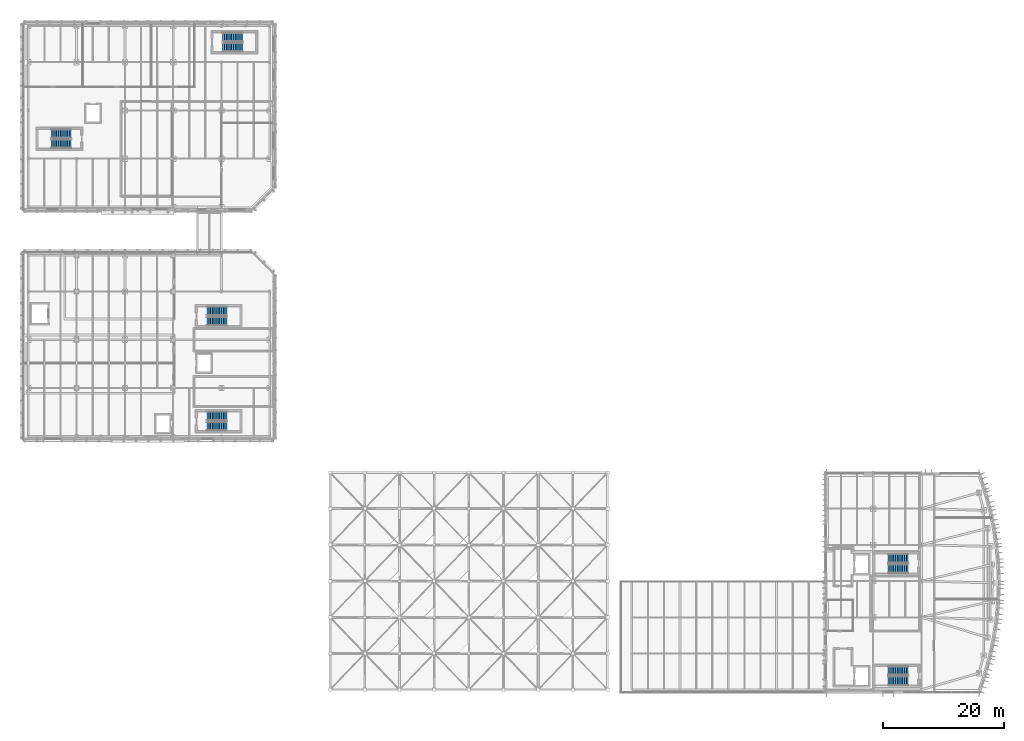
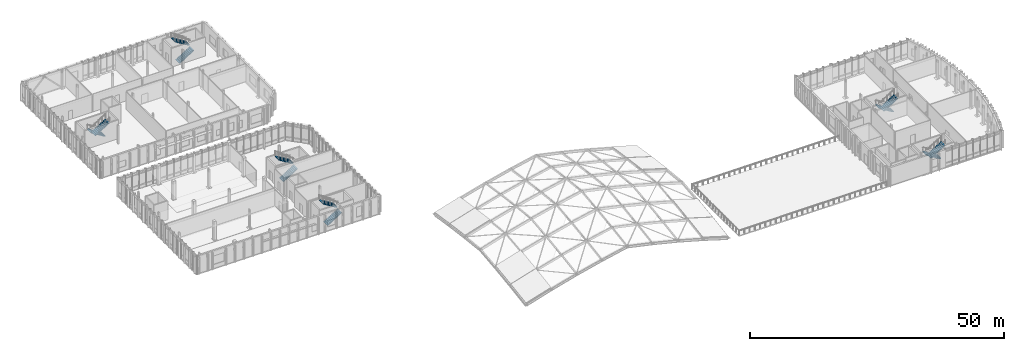
# One storey, part 48 of 62: 12 stair flights, 6 elements without a shape of their own.
"""IFC4 building model written with IfcOpenShell, lengths in metres."""

from ifc_helpers import new_model, si_unit, direction, frame, origin, place, context, subcontext, project, spatial, polyline, outline, extrude, material, type_object, element, aggregate, save


model = new_model("IFC4")

# Units and contexts
model_context = context("Model", 3, precision=1e-05, world=origin(), true_north=direction((0.0, 1.0)))
body_context = subcontext(model_context, "Body", "Model", "MODEL_VIEW")
ifc_project = project(units=[si_unit("LENGTHUNIT", "METRE"), si_unit("AREAUNIT", "SQUARE_METRE"), si_unit("VOLUMEUNIT", "CUBIC_METRE"), si_unit("PLANEANGLEUNIT", "RADIAN"), si_unit("MASSUNIT", "GRAM", prefix="KILO")], contexts=[model_context])

# Site, building, storey
site_placement = place(None, origin())
site = spatial("IfcSite", under=ifc_project, at=site_placement, CompositionType="ELEMENT")
building_placement = place(site_placement, origin())
building = spatial("IfcBuilding", under=site, at=building_placement, Name="Cymarion Research Institute", CompositionType="ELEMENT")
storey_placement = place(building_placement, frame((0.0, 0.0, 18.300048828125)))
storey = spatial("IfcBuildingStorey", under=building, at=storey_placement, Name="L04", CompositionType="ELEMENT", Elevation=18.300048828125)

# Stair, stair flights
ifc_material = material(Name="Concrete C35/45", Category="concrete")
stair_type = type_object("IfcStairType", Name="REINFORCED CONCRETE DOGLEG STAIR STR-4500", PredefinedType="HALF_TURN_STAIR", material=ifc_material)
stair_1_placement = place(storey_placement, origin())
stair_1 = element("IfcStair", 1, at=stair_1_placement, inside=storey, type_object=stair_type, Name="L04 Core C1 Smoke-Proof Exit Stair ST1", PredefinedType="HALF_TURN_STAIR")
stair_flight_type = type_object("IfcStairFlightType", Name="REINFORCED CONCRETE STAIR FLIGHT SFL-4500", PredefinedType="STRAIGHT", material=ifc_material)
stair_flight_1_placement = place(storey_placement, frame((152.39990234375, 8.639892578125, 0.0), z_axis=(0.0, 0.0, 1.0), x_axis=(-1.0, 0.0, 0.0)))
stair_flight_1 = element("IfcStairFlight", 2, at=stair_flight_1_placement, type_object=stair_flight_type, Name="ST1 flight 1", NumberOfRisers=12, NumberOfTreads=11, PredefinedType="STRAIGHT", RiserHeight=0.1875, TreadLength=0.3, context=body_context, shape_type="SweptSolid", body=[
    extrude(outline(polyline([(0.0, 0.0), (0.0, 0.1875), (0.300048828125, 0.1875), (0.300048828125, 0.375), (0.60009765625, 0.375), (0.60009765625, 0.5625), (0.89990234375, 0.5625), (0.89990234375, 0.75), (1.199951171875, 0.75), (1.199951171875, 0.9375), (1.5, 0.9375), (1.5, 1.125), (1.800048828125, 1.125), (1.800048828125, 1.3125), (2.10009765625, 1.3125), (2.10009765625, 1.5), (2.39990234375, 1.5), (2.39990234375, 1.6875), (2.699951171875, 1.6875), (2.699951171875, 1.875), (3.0, 1.875), (3.0, 2.0625), (3.300048828125, 2.0625), (3.300048828125, 2.25), (3.300048828125, 1.8857421875), (0.28271484375, 0.0), (0.0, 0.0)])), frame((0.0, 0.760009765625, 0.0), z_axis=(0.0, -1.0, 0.0), x_axis=(1.0, 0.0, 0.0)), (0.0, 0.0, 1.0), 1.52001953125),
])
stair_flight_2_placement = place(storey_placement, frame((149.10009765625, 6.9599609375, 2.25), z_axis=(0.0, 0.0, 1.0), x_axis=(1.0, 0.0, 0.0)))
stair_flight_2 = element("IfcStairFlight", 3, at=stair_flight_2_placement, type_object=stair_flight_type, Name="ST1 flight 2", NumberOfRisers=12, NumberOfTreads=11, PredefinedType="STRAIGHT", RiserHeight=0.1875, TreadLength=0.3, context=body_context, shape_type="SweptSolid", body=[
    extrude(outline(polyline([(0.0, 0.0), (0.0, 0.1875), (0.300048828125, 0.1875), (0.300048828125, 0.375), (0.60009765625, 0.375), (0.60009765625, 0.5625), (0.89990234375, 0.5625), (0.89990234375, 0.75), (1.199951171875, 0.75), (1.199951171875, 0.9375), (1.5, 0.9375), (1.5, 1.125), (1.800048828125, 1.125), (1.800048828125, 1.3125), (2.10009765625, 1.3125), (2.10009765625, 1.5), (2.39990234375, 1.5), (2.39990234375, 1.6875), (2.699951171875, 1.6875), (2.699951171875, 1.875), (3.0, 1.875), (3.0, 2.0625), (3.300048828125, 2.0625), (3.300048828125, 2.25), (3.300048828125, 1.8857421875), (0.28271484375, 0.0), (0.0, 0.0)])), frame((0.0, 0.760009765625, 0.0), z_axis=(0.0, -1.0, 0.0), x_axis=(1.0, 0.0, 0.0)), (0.0, 0.0, 1.0), 1.52001953125),
])
aggregate(stair_1, [stair_flight_1, stair_flight_2])

stair_2_placement = place(storey_placement, origin())
stair_2 = element("IfcStair", 4, at=stair_2_placement, inside=storey, type_object=stair_type, Name="L04 Core C2 Smoke-Proof Exit Stair ST2", PredefinedType="HALF_TURN_STAIR")
stair_flight_3_placement = place(storey_placement, frame((152.39990234375, 27.239990234375, 0.0), z_axis=(0.0, 0.0, 1.0), x_axis=(-1.0, 0.0, 0.0)))
stair_flight_3 = element("IfcStairFlight", 5, at=stair_flight_3_placement, type_object=stair_flight_type, Name="ST2 flight 1", NumberOfRisers=12, NumberOfTreads=11, PredefinedType="STRAIGHT", RiserHeight=0.1875, TreadLength=0.3, context=body_context, shape_type="SweptSolid", body=[
    extrude(outline(polyline([(0.0, 0.0), (0.0, 0.1875), (0.300048828125, 0.1875), (0.300048828125, 0.375), (0.60009765625, 0.375), (0.60009765625, 0.5625), (0.89990234375, 0.5625), (0.89990234375, 0.75), (1.199951171875, 0.75), (1.199951171875, 0.9375), (1.5, 0.9375), (1.5, 1.125), (1.800048828125, 1.125), (1.800048828125, 1.3125), (2.10009765625, 1.3125), (2.10009765625, 1.5), (2.39990234375, 1.5), (2.39990234375, 1.6875), (2.699951171875, 1.6875), (2.699951171875, 1.875), (3.0, 1.875), (3.0, 2.0625), (3.300048828125, 2.0625), (3.300048828125, 2.25), (3.300048828125, 1.8857421875), (0.28271484375, 0.0), (0.0, 0.0)])), frame((0.0, 0.760009765625, 0.0), z_axis=(0.0, -1.0, 0.0), x_axis=(1.0, 0.0, 0.0)), (0.0, 0.0, 1.0), 1.52001953125),
])
stair_flight_4_placement = place(storey_placement, frame((149.10009765625, 25.56005859375, 2.25), z_axis=(0.0, 0.0, 1.0), x_axis=(1.0, 0.0, 0.0)))
stair_flight_4 = element("IfcStairFlight", 6, at=stair_flight_4_placement, type_object=stair_flight_type, Name="ST2 flight 2", NumberOfRisers=12, NumberOfTreads=11, PredefinedType="STRAIGHT", RiserHeight=0.1875, TreadLength=0.3, context=body_context, shape_type="SweptSolid", body=[
    extrude(outline(polyline([(0.0, 0.0), (0.0, 0.1875), (0.300048828125, 0.1875), (0.300048828125, 0.375), (0.60009765625, 0.375), (0.60009765625, 0.5625), (0.89990234375, 0.5625), (0.89990234375, 0.75), (1.199951171875, 0.75), (1.199951171875, 0.9375), (1.5, 0.9375), (1.5, 1.125), (1.800048828125, 1.125), (1.800048828125, 1.3125), (2.10009765625, 1.3125), (2.10009765625, 1.5), (2.39990234375, 1.5), (2.39990234375, 1.6875), (2.699951171875, 1.6875), (2.699951171875, 1.875), (3.0, 1.875), (3.0, 2.0625), (3.300048828125, 2.0625), (3.300048828125, 2.25), (3.300048828125, 1.8857421875), (0.28271484375, 0.0), (0.0, 0.0)])), frame((0.0, 0.760009765625, 0.0), z_axis=(0.0, -1.0, 0.0), x_axis=(1.0, 0.0, 0.0)), (0.0, 0.0, 1.0), 1.52001953125),
])
aggregate(stair_2, [stair_flight_3, stair_flight_4])

stair_3_placement = place(storey_placement, origin())
stair_3 = element("IfcStair", 7, at=stair_3_placement, inside=storey, type_object=stair_type, Name="L04 Core C7 Smoke-Proof Exit Stair ST7", PredefinedType="HALF_TURN_STAIR")
stair_flight_5_placement = place(storey_placement, frame((36.199951171875, 49.159912109375, 0.0), z_axis=(0.0, 0.0, 1.0), x_axis=(1.0, 0.0, 0.0)))
stair_flight_5 = element("IfcStairFlight", 8, at=stair_flight_5_placement, type_object=stair_flight_type, Name="ST7 flight 1", NumberOfRisers=12, NumberOfTreads=11, PredefinedType="STRAIGHT", RiserHeight=0.1875, TreadLength=0.3, context=body_context, shape_type="SweptSolid", body=[
    extrude(outline(polyline([(0.0, 0.0), (0.0, 0.1875), (0.300048828125, 0.1875), (0.300048828125, 0.375), (0.60009765625, 0.375), (0.60009765625, 0.5625), (0.89990234375, 0.5625), (0.89990234375, 0.75), (1.199951171875, 0.75), (1.199951171875, 0.9375), (1.5, 0.9375), (1.5, 1.125), (1.800048828125, 1.125), (1.800048828125, 1.3125), (2.10009765625, 1.3125), (2.10009765625, 1.5), (2.39990234375, 1.5), (2.39990234375, 1.6875), (2.699951171875, 1.6875), (2.699951171875, 1.875), (3.0, 1.875), (3.0, 2.0625), (3.300048828125, 2.0625), (3.300048828125, 2.25), (3.300048828125, 1.8857421875), (0.28271484375, 0.0), (0.0, 0.0)])), frame((0.0, 0.760009765625, 0.0), z_axis=(0.0, -1.0, 0.0), x_axis=(1.0, 0.0, 0.0)), (0.0, 0.0, 1.0), 1.52001953125),
])
stair_flight_6_placement = place(storey_placement, frame((39.5, 50.840087890625, 2.25), z_axis=(0.0, 0.0, 1.0), x_axis=(-1.0, 0.0, 0.0)))
stair_flight_6 = element("IfcStairFlight", 9, at=stair_flight_6_placement, type_object=stair_flight_type, Name="ST7 flight 2", NumberOfRisers=12, NumberOfTreads=11, PredefinedType="STRAIGHT", RiserHeight=0.1875, TreadLength=0.3, context=body_context, shape_type="SweptSolid", body=[
    extrude(outline(polyline([(0.0, 0.0), (0.0, 0.1875), (0.300048828125, 0.1875), (0.300048828125, 0.375), (0.60009765625, 0.375), (0.60009765625, 0.5625), (0.89990234375, 0.5625), (0.89990234375, 0.75), (1.199951171875, 0.75), (1.199951171875, 0.9375), (1.5, 0.9375), (1.5, 1.125), (1.800048828125, 1.125), (1.800048828125, 1.3125), (2.10009765625, 1.3125), (2.10009765625, 1.5), (2.39990234375, 1.5), (2.39990234375, 1.6875), (2.699951171875, 1.6875), (2.699951171875, 1.875), (3.0, 1.875), (3.0, 2.0625), (3.300048828125, 2.0625), (3.300048828125, 2.25), (3.300048828125, 1.8857421875), (0.28271484375, 0.0), (0.0, 0.0)])), frame((0.0, 0.760009765625, 0.0), z_axis=(0.0, -1.0, 0.0), x_axis=(1.0, 0.0, 0.0)), (0.0, 0.0, 1.0), 1.52001953125),
])
aggregate(stair_3, [stair_flight_5, stair_flight_6])

stair_4_placement = place(storey_placement, origin())
stair_4 = element("IfcStair", 10, at=stair_4_placement, inside=storey, type_object=stair_type, Name="L04 Core C8 Smoke-Proof Exit Stair ST8", PredefinedType="HALF_TURN_STAIR")
stair_flight_7_placement = place(storey_placement, frame((36.199951171875, 66.56005859375, 0.0), z_axis=(0.0, 0.0, 1.0), x_axis=(1.0, 0.0, 0.0)))
stair_flight_7 = element("IfcStairFlight", 11, at=stair_flight_7_placement, type_object=stair_flight_type, Name="ST8 flight 1", NumberOfRisers=12, NumberOfTreads=11, PredefinedType="STRAIGHT", RiserHeight=0.1875, TreadLength=0.3, context=body_context, shape_type="SweptSolid", body=[
    extrude(outline(polyline([(0.0, 0.0), (0.0, 0.1875), (0.300048828125, 0.1875), (0.300048828125, 0.375), (0.60009765625, 0.375), (0.60009765625, 0.5625), (0.89990234375, 0.5625), (0.89990234375, 0.75), (1.199951171875, 0.75), (1.199951171875, 0.9375), (1.5, 0.9375), (1.5, 1.125), (1.800048828125, 1.125), (1.800048828125, 1.3125), (2.10009765625, 1.3125), (2.10009765625, 1.5), (2.39990234375, 1.5), (2.39990234375, 1.6875), (2.699951171875, 1.6875), (2.699951171875, 1.875), (3.0, 1.875), (3.0, 2.0625), (3.300048828125, 2.0625), (3.300048828125, 2.25), (3.300048828125, 1.8857421875), (0.28271484375, 0.0), (0.0, 0.0)])), frame((0.0, 0.760009765625, 0.0), z_axis=(0.0, -1.0, 0.0), x_axis=(1.0, 0.0, 0.0)), (0.0, 0.0, 1.0), 1.52001953125),
])
stair_flight_8_placement = place(storey_placement, frame((39.5, 68.239990234375, 2.25), z_axis=(0.0, 0.0, 1.0), x_axis=(-1.0, 0.0, 0.0)))
stair_flight_8 = element("IfcStairFlight", 12, at=stair_flight_8_placement, type_object=stair_flight_type, Name="ST8 flight 2", NumberOfRisers=12, NumberOfTreads=11, PredefinedType="STRAIGHT", RiserHeight=0.1875, TreadLength=0.3, context=body_context, shape_type="SweptSolid", body=[
    extrude(outline(polyline([(0.0, 0.0), (0.0, 0.1875), (0.300048828125, 0.1875), (0.300048828125, 0.375), (0.60009765625, 0.375), (0.60009765625, 0.5625), (0.89990234375, 0.5625), (0.89990234375, 0.75), (1.199951171875, 0.75), (1.199951171875, 0.9375), (1.5, 0.9375), (1.5, 1.125), (1.800048828125, 1.125), (1.800048828125, 1.3125), (2.10009765625, 1.3125), (2.10009765625, 1.5), (2.39990234375, 1.5), (2.39990234375, 1.6875), (2.699951171875, 1.6875), (2.699951171875, 1.875), (3.0, 1.875), (3.0, 2.0625), (3.300048828125, 2.0625), (3.300048828125, 2.25), (3.300048828125, 1.8857421875), (0.28271484375, 0.0), (0.0, 0.0)])), frame((0.0, 0.760009765625, 0.0), z_axis=(0.0, -1.0, 0.0), x_axis=(1.0, 0.0, 0.0)), (0.0, 0.0, 1.0), 1.52001953125),
])
aggregate(stair_4, [stair_flight_7, stair_flight_8])

stair_5_placement = place(storey_placement, origin())
stair_5 = element("IfcStair", 13, at=stair_5_placement, inside=storey, type_object=stair_type, Name="L04 Core C9 Smoke-Proof Exit Stair ST9", PredefinedType="HALF_TURN_STAIR")
stair_flight_9_placement = place(storey_placement, frame((13.699951171875, 97.639892578125, 0.0), z_axis=(0.0, 0.0, 1.0), x_axis=(-1.0, 0.0, 0.0)))
stair_flight_9 = element("IfcStairFlight", 14, at=stair_flight_9_placement, type_object=stair_flight_type, Name="ST9 flight 1", NumberOfRisers=12, NumberOfTreads=11, PredefinedType="STRAIGHT", RiserHeight=0.1875, TreadLength=0.3, context=body_context, shape_type="SweptSolid", body=[
    extrude(outline(polyline([(0.0, 0.0), (0.0, 0.1875), (0.300048828125, 0.1875), (0.300048828125, 0.375), (0.60009765625, 0.375), (0.60009765625, 0.5625), (0.89990234375, 0.5625), (0.89990234375, 0.75), (1.199951171875, 0.75), (1.199951171875, 0.9375), (1.5, 0.9375), (1.5, 1.125), (1.800048828125, 1.125), (1.800048828125, 1.3125), (2.10009765625, 1.3125), (2.10009765625, 1.5), (2.39990234375, 1.5), (2.39990234375, 1.6875), (2.699951171875, 1.6875), (2.699951171875, 1.875), (3.0, 1.875), (3.0, 2.0625), (3.300048828125, 2.0625), (3.300048828125, 2.25), (3.300048828125, 1.8857421875), (0.28271484375, 0.0), (0.0, 0.0)])), frame((0.0, 0.760009765625, 0.0), z_axis=(0.0, -1.0, 0.0), x_axis=(1.0, 0.0, 0.0)), (0.0, 0.0, 1.0), 1.52001953125),
])
stair_flight_10_placement = place(storey_placement, frame((10.39990234375, 95.9599609375, 2.25), z_axis=(0.0, 0.0, 1.0), x_axis=(1.0, 0.0, 0.0)))
stair_flight_10 = element("IfcStairFlight", 15, at=stair_flight_10_placement, type_object=stair_flight_type, Name="ST9 flight 2", NumberOfRisers=12, NumberOfTreads=11, PredefinedType="STRAIGHT", RiserHeight=0.1875, TreadLength=0.3, context=body_context, shape_type="SweptSolid", body=[
    extrude(outline(polyline([(0.0, 0.0), (0.0, 0.1875), (0.300048828125, 0.1875), (0.300048828125, 0.375), (0.60009765625, 0.375), (0.60009765625, 0.5625), (0.89990234375, 0.5625), (0.89990234375, 0.75), (1.199951171875, 0.75), (1.199951171875, 0.9375), (1.5, 0.9375), (1.5, 1.125), (1.800048828125, 1.125), (1.800048828125, 1.3125), (2.10009765625, 1.3125), (2.10009765625, 1.5), (2.39990234375, 1.5), (2.39990234375, 1.6875), (2.699951171875, 1.6875), (2.699951171875, 1.875), (3.0, 1.875), (3.0, 2.0625), (3.300048828125, 2.0625), (3.300048828125, 2.25), (3.300048828125, 1.8857421875), (0.28271484375, 0.0), (0.0, 0.0)])), frame((0.0, 0.760009765625, 0.0), z_axis=(0.0, -1.0, 0.0), x_axis=(1.0, 0.0, 0.0)), (0.0, 0.0, 1.0), 1.52001953125),
])
aggregate(stair_5, [stair_flight_9, stair_flight_10])

stair_6_placement = place(storey_placement, origin())
stair_6 = element("IfcStair", 16, at=stair_6_placement, inside=storey, type_object=stair_type, Name="L04 Core C10 Smoke-Proof Exit Stair ST10", PredefinedType="HALF_TURN_STAIR")
stair_flight_11_placement = place(storey_placement, frame((38.800048828125, 111.9599609375, 0.0), z_axis=(0.0, 0.0, 1.0), x_axis=(1.0, 0.0, 0.0)))
stair_flight_11 = element("IfcStairFlight", 17, at=stair_flight_11_placement, type_object=stair_flight_type, Name="ST10 flight 1", NumberOfRisers=12, NumberOfTreads=11, PredefinedType="STRAIGHT", RiserHeight=0.1875, TreadLength=0.3, context=body_context, shape_type="SweptSolid", body=[
    extrude(outline(polyline([(0.0, 0.0), (0.0, 0.1875), (0.300048828125, 0.1875), (0.300048828125, 0.375), (0.60009765625, 0.375), (0.60009765625, 0.5625), (0.89990234375, 0.5625), (0.89990234375, 0.75), (1.199951171875, 0.75), (1.199951171875, 0.9375), (1.5, 0.9375), (1.5, 1.125), (1.800048828125, 1.125), (1.800048828125, 1.3125), (2.10009765625, 1.3125), (2.10009765625, 1.5), (2.39990234375, 1.5), (2.39990234375, 1.6875), (2.699951171875, 1.6875), (2.699951171875, 1.875), (3.0, 1.875), (3.0, 2.0625), (3.300048828125, 2.0625), (3.300048828125, 2.25), (3.300048828125, 1.8857421875), (0.28271484375, 0.0), (0.0, 0.0)])), frame((0.0, 0.760009765625, 0.0), z_axis=(0.0, -1.0, 0.0), x_axis=(1.0, 0.0, 0.0)), (0.0, 0.0, 1.0), 1.52001953125),
])
stair_flight_12_placement = place(storey_placement, frame((42.10009765625, 113.639892578125, 2.25), z_axis=(0.0, 0.0, 1.0), x_axis=(-1.0, 0.0, 0.0)))
stair_flight_12 = element("IfcStairFlight", 18, at=stair_flight_12_placement, type_object=stair_flight_type, Name="ST10 flight 2", NumberOfRisers=12, NumberOfTreads=11, PredefinedType="STRAIGHT", RiserHeight=0.1875, TreadLength=0.3, context=body_context, shape_type="SweptSolid", body=[
    extrude(outline(polyline([(0.0, 0.0), (0.0, 0.1875), (0.300048828125, 0.1875), (0.300048828125, 0.375), (0.60009765625, 0.375), (0.60009765625, 0.5625), (0.89990234375, 0.5625), (0.89990234375, 0.75), (1.199951171875, 0.75), (1.199951171875, 0.9375), (1.5, 0.9375), (1.5, 1.125), (1.800048828125, 1.125), (1.800048828125, 1.3125), (2.10009765625, 1.3125), (2.10009765625, 1.5), (2.39990234375, 1.5), (2.39990234375, 1.6875), (2.699951171875, 1.6875), (2.699951171875, 1.875), (3.0, 1.875), (3.0, 2.0625), (3.300048828125, 2.0625), (3.300048828125, 2.25), (3.300048828125, 1.8857421875), (0.28271484375, 0.0), (0.0, 0.0)])), frame((0.0, 0.760009765625, 0.0), z_axis=(0.0, -1.0, 0.0), x_axis=(1.0, 0.0, 0.0)), (0.0, 0.0, 1.0), 1.52001953125),
])
aggregate(stair_6, [stair_flight_11, stair_flight_12])

save(model, "model.ifc")
